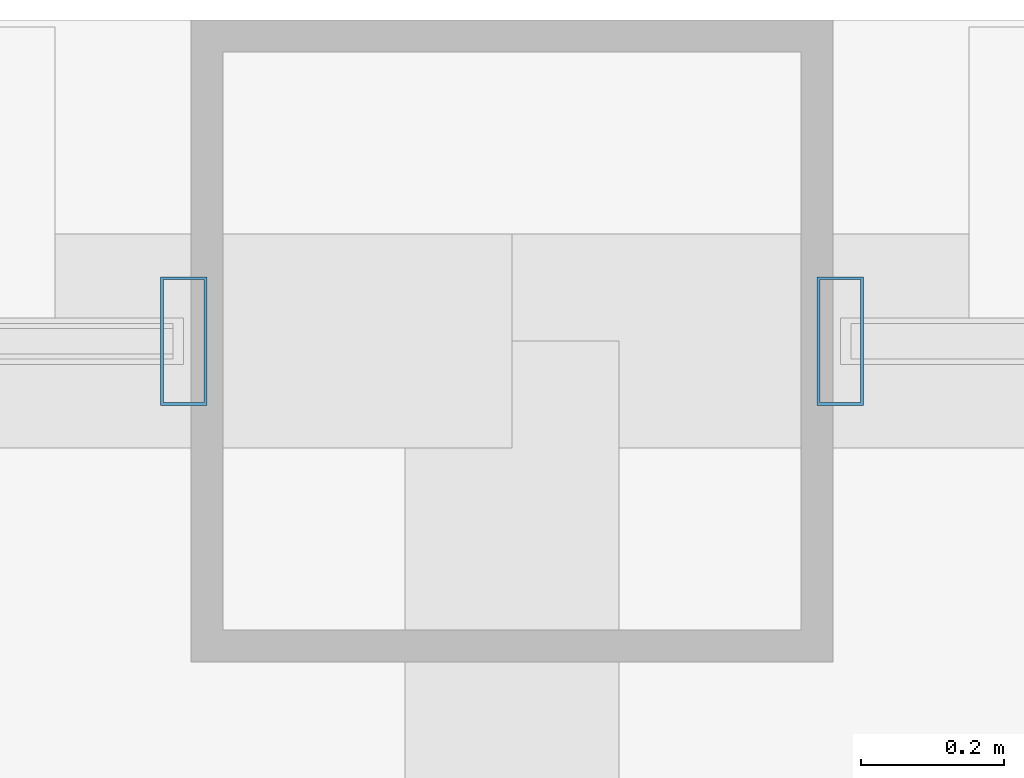
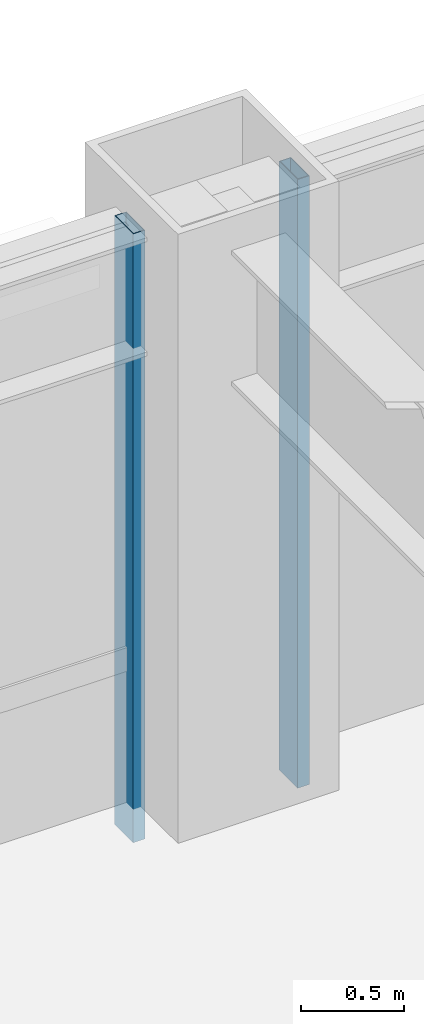
# One storey, part 19 of 29: 2 members, 2 elements without a shape of their own.
"""IFC4 building model written with IfcOpenShell, lengths in metres."""

from ifc_helpers import new_model, si_unit, direction, frame, origin, origin_2d, place, context, subcontext, project, spatial, hollow_rectangle, extrude, material, layer, layer_set, material_profile, profile_set, type_object, element, aggregate, save


model = new_model("IFC4")

# Units and contexts
model_context = context("Model", 3, precision=1e-05, world=origin(), true_north=direction((0.0, 1.0)))
body_context = subcontext(model_context, "Body", "Model", "MODEL_VIEW")
ifc_project = project(units=[si_unit("LENGTHUNIT", "METRE"), si_unit("AREAUNIT", "SQUARE_METRE"), si_unit("VOLUMEUNIT", "CUBIC_METRE"), si_unit("PLANEANGLEUNIT", "RADIAN"), si_unit("MASSUNIT", "GRAM", prefix="KILO")], contexts=[model_context])

# Site, building, storey
site_placement = place(None, origin())
site = spatial("IfcSite", under=ifc_project, at=site_placement, CompositionType="ELEMENT")
building_placement = place(site_placement, origin())
building = spatial("IfcBuilding", under=site, at=building_placement, Name="Brelmoor Portico Tower", CompositionType="ELEMENT")
storey_placement = place(building_placement, frame((0.0, 0.0, 60.0)))
storey = spatial("IfcBuildingStorey", under=building, at=storey_placement, Name="L15", CompositionType="ELEMENT", Elevation=60.0)

# Curtain wall, member
ifc_material = material(Name="Anodised Aluminium Alloy 6063-T6", Category="aluminium")
ifc_layer_1 = layer(ifc_material, 0.179931640625)
ifc_layer_set_1 = layer_set([ifc_layer_1], Name="Anodised Aluminium Alloy 6063-T6")
curtain_wall_type_1 = type_object("IfcCurtainWallType", Name="CW-TOWER-Z1", PredefinedType="NOTDEFINED", material=ifc_layer_set_1)
curtain_wall_1_placement = place(storey_placement, origin())
curtain_wall_1 = element("IfcCurtainWall", 1, at=curtain_wall_1_placement, inside=storey, type_object=curtain_wall_type_1, Name="L15 Curtain Wall CW-L15-02-2", PredefinedType="NOTDEFINED")
ifc_material_profile = material_profile(ifc_material, hollow_rectangle(XDim=0.06494140625, YDim=0.179931640625, WallThickness=0.00390625, at=origin_2d()), Name="ALU MULLION 65x180")
ifc_profile_set = profile_set([ifc_material_profile], Name="Anodised Aluminium Alloy 6063-T6")
member_type = type_object("IfcMemberType", Name="MB-CW-MULL-180", PredefinedType="MULLION", material=ifc_profile_set)
member_1_placement = place(storey_placement, frame((-8.510009765625, 21.550048828125, -0.199951171875), z_axis=(0.0, 0.0, 1.0), x_axis=(1.0, 0.0, 0.0)))
member_1 = element("IfcMember", 2, at=member_1_placement, type_object=member_type, Name="CW-L15-02-2 Mullion 01", PredefinedType="MULLION", context=body_context, shape_type="SweptSolid", body=[
    extrude(hollow_rectangle(XDim=0.06494140625, YDim=0.179931640625, WallThickness=0.00390625, at=origin_2d()), origin(), (0.0, 0.0, 1.0), 3.599853515625),
])
aggregate(curtain_wall_1, [member_1])

ifc_layer_2 = layer(ifc_material, 0.179931640625)
ifc_layer_set_2 = layer_set([ifc_layer_2], Name="Anodised Aluminium Alloy 6063-T6")
curtain_wall_type_2 = type_object("IfcCurtainWallType", Name="CW-TOWER-Z1-XB", PredefinedType="NOTDEFINED", material=ifc_layer_set_2)
curtain_wall_2_placement = place(storey_placement, origin())
curtain_wall_2 = element("IfcCurtainWall", 3, at=curtain_wall_2_placement, inside=storey, type_object=curtain_wall_type_2, Name="L15 Curtain Wall CW-L15-02-3", PredefinedType="NOTDEFINED")
member_2_placement = place(storey_placement, frame((-7.590087890625, 21.550048828125, -0.199951171875), z_axis=(0.0, 0.0, 1.0), x_axis=(1.0, 0.0, 0.0)))
member_2 = element("IfcMember", 4, at=member_2_placement, type_object=member_type, Name="CW-L15-02-3 Mullion 00", PredefinedType="MULLION", context=body_context, shape_type="SweptSolid", body=[
    extrude(hollow_rectangle(XDim=0.06494140625, YDim=0.179931640625, WallThickness=0.00390625, at=origin_2d()), origin(), (0.0, 0.0, 1.0), 3.599853515625),
])
aggregate(curtain_wall_2, [member_2])

save(model, "model.ifc")
